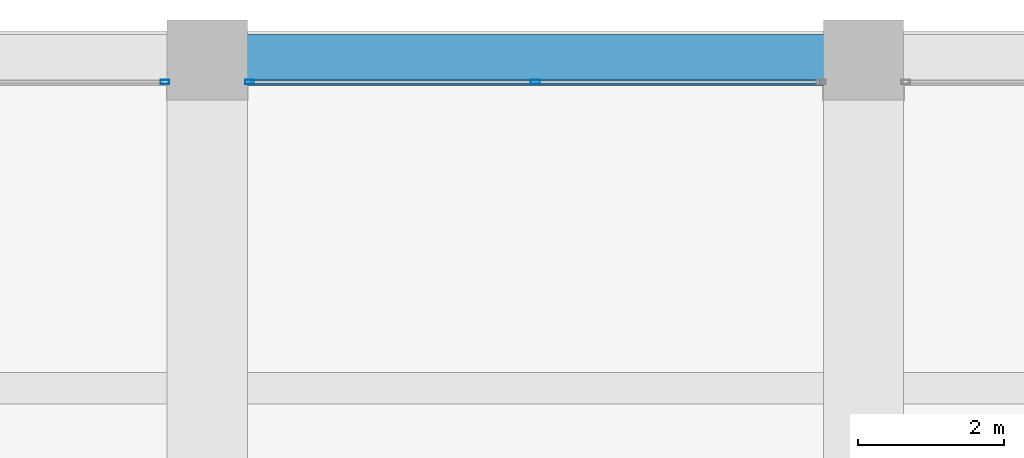
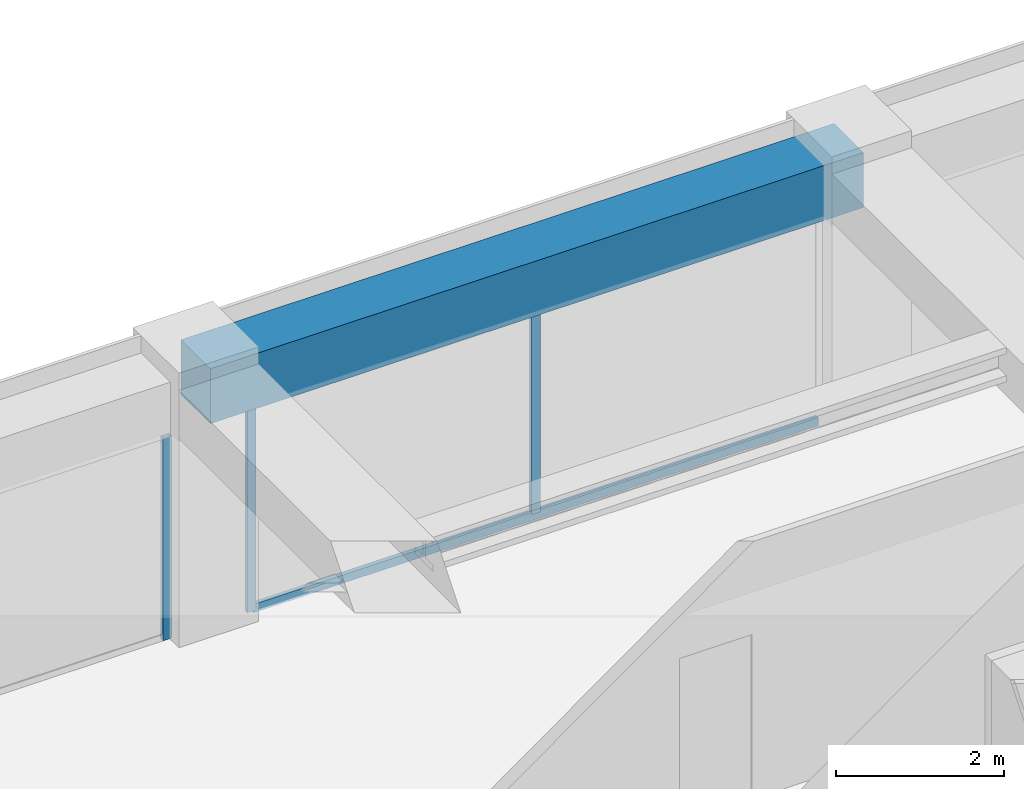
# One storey, part 33 of 44: 4 members, 1 beam, 2 elements without a shape of their own.
"""IFC4 building model written with IfcOpenShell, lengths in metres."""

from ifc_helpers import new_model, si_unit, direction, frame, origin, origin_2d, place, context, subcontext, project, spatial, rectangle, hollow_rectangle, extrude, material, material_profile, profile_set, type_object, element, aggregate, save


model = new_model("IFC4")

# Units and contexts
model_context = context("Model", 3, precision=1e-05, world=origin(), true_north=direction((0.0, 1.0)))
body_context = subcontext(model_context, "Body", "Model", "MODEL_VIEW")
ifc_project = project(units=[si_unit("LENGTHUNIT", "METRE"), si_unit("AREAUNIT", "SQUARE_METRE"), si_unit("VOLUMEUNIT", "CUBIC_METRE"), si_unit("PLANEANGLEUNIT", "RADIAN"), si_unit("MASSUNIT", "GRAM", prefix="KILO")], contexts=[model_context])

# Site, building, storey
site_placement = place(None, origin())
site = spatial("IfcSite", under=ifc_project, at=site_placement, CompositionType="ELEMENT")
building_placement = place(site_placement, origin())
building = spatial("IfcBuilding", under=site, at=building_placement, Name="Zorevar Civic Tower", CompositionType="ELEMENT")
storey_placement = place(building_placement, frame((0.0, 0.0, 267.39990234375)))
storey = spatial("IfcBuildingStorey", under=building, at=storey_placement, Name="L65", CompositionType="ELEMENT", Elevation=267.39990234375)

# Curtain wall, member
ifc_material_1 = material(Name="Dark grey solar-control glass in black aluminium frame", Category="aluminium")
curtain_wall_type = type_object("IfcCurtainWallType", Name="Curtain wall CW5 top zone", PredefinedType="NOTDEFINED", material=ifc_material_1)
curtain_wall_1_placement = place(storey_placement, origin())
curtain_wall_1 = element("IfcCurtainWall", 1, at=curtain_wall_1_placement, inside=storey, type_object=curtain_wall_type, Name="CW5 L65", PredefinedType="NOTDEFINED")
ifc_material_2 = material(Name="Aluminium, black anodised", Category="aluminium")
ifc_material_profile_1 = material_profile(ifc_material_2, hollow_rectangle(XDim=0.06005859375, YDim=0.1201171875, WallThickness=0.0029296875, at=origin_2d()), Name="AL 120x60x3")
ifc_profile_set_1 = profile_set([ifc_material_profile_1], Name="Aluminium, black anodised")
member_type_1 = type_object("IfcMemberType", Name="CW5 mullion AL 120x60x3", PredefinedType="MULLION", material=ifc_profile_set_1)
member_1_placement = place(storey_placement, frame((26.419921875, 44.699951171875, 0.0), z_axis=(0.0, 0.0, 1.0), x_axis=(0.0, 1.0, 0.0)))
member_1 = element("IfcMember", 2, at=member_1_placement, type_object=member_type_1, Name="CW5 mullion 3", PredefinedType="MULLION", context=body_context, shape_type="SweptSolid", body=[
    extrude(hollow_rectangle(XDim=0.06005859375, YDim=0.1201171875, WallThickness=0.0029296875, at=origin_2d()), origin(), (0.0, 0.0, 1.0), 2.9501953125),
])
aggregate(curtain_wall_1, [member_1])

# Curtain wall, members
curtain_wall_2_placement = place(storey_placement, origin())
curtain_wall_2 = element("IfcCurtainWall", 3, at=curtain_wall_2_placement, inside=storey, type_object=curtain_wall_type, Name="CW5 L65", PredefinedType="NOTDEFINED")
member_2_placement = place(storey_placement, frame((27.580078125, 44.699951171875, 0.0), z_axis=(0.0, 0.0, 1.0), x_axis=(0.0, 1.0, 0.0)))
member_2 = element("IfcMember", 4, at=member_2_placement, type_object=member_type_1, Name="CW5 mullion 1", PredefinedType="MULLION", context=body_context, shape_type="SweptSolid", body=[
    extrude(hollow_rectangle(XDim=0.06005859375, YDim=0.1201171875, WallThickness=0.0029296875, at=origin_2d()), origin(), (0.0, 0.0, 1.0), 2.9501953125),
])
member_3_placement = place(storey_placement, frame((31.5, 44.699951171875, 0.06005859375), z_axis=(0.0, 0.0, 1.0), x_axis=(0.0, 1.0, 0.0)))
member_3 = element("IfcMember", 5, at=member_3_placement, type_object=member_type_1, Name="CW5 mullion 2", PredefinedType="MULLION", context=body_context, shape_type="SweptSolid", body=[
    extrude(hollow_rectangle(XDim=0.06005859375, YDim=0.1201171875, WallThickness=0.0029296875, at=origin_2d()), origin(), (0.0, 0.0, 1.0), 2.89013671875),
])
ifc_material_3 = material(Name="Aluminium, black anodised", Category="aluminium")
ifc_material_profile_2 = material_profile(ifc_material_3, hollow_rectangle(XDim=0.06005859375, YDim=0.1201171875, WallThickness=0.0029296875, at=origin_2d()), Name="AL 120x60x3")
ifc_profile_set_2 = profile_set([ifc_material_profile_2], Name="Aluminium, black anodised")
member_type_2 = type_object("IfcMemberType", Name="CW5 transom AL 120x60x3", PredefinedType="USERDEFINED", material=ifc_profile_set_2)
member_4_placement = place(storey_placement, frame((27.610107421875, 44.699951171875, 0.030029296875), z_axis=(1.0, 0.0, 0.0), x_axis=(0.0, 1.0, 0.0)))
member_4 = element("IfcMember", 6, at=member_4_placement, type_object=member_type_2, Name="CW5 sill transom", ObjectType="TRANSOM", PredefinedType="USERDEFINED", context=body_context, shape_type="SweptSolid", body=[
    extrude(hollow_rectangle(XDim=0.06005859375, YDim=0.1201171875, WallThickness=0.0029296875, at=origin_2d()), origin(), (0.0, 0.0, 1.0), 7.77978515625),
])
aggregate(curtain_wall_2, [member_2, member_3, member_4])

# Beam
ifc_material_4 = material(Name="Concrete C50/60", Category="concrete")
ifc_material_profile_3 = material_profile(ifc_material_4, rectangle(XDim=0.699951171875, YDim=0.800048828125, at=origin_2d()), Name="RC 700x800")
ifc_profile_set_3 = profile_set([ifc_material_profile_3], Name="Concrete C50/60")
beam_type = type_object("IfcBeamType", Name="Edge beam RC 700x800", PredefinedType="SPANDREL", material=ifc_profile_set_3)
beam_placement = place(storey_placement, frame((27.0, 45.0, 3.35009765625), z_axis=(1.0, 0.0, 0.0), x_axis=(0.0, 1.0, 0.0)))
element("IfcBeam", 7, at=beam_placement, inside=storey, type_object=beam_type, Name="Edge beam L66", PredefinedType="SPANDREL", context=body_context, shape_type="SweptSolid", body=[
    extrude(rectangle(XDim=0.699951171875, YDim=0.800048828125, at=origin_2d()), origin(), (0.0, 0.0, 1.0), 9.0),
])

save(model, "model.ifc")
